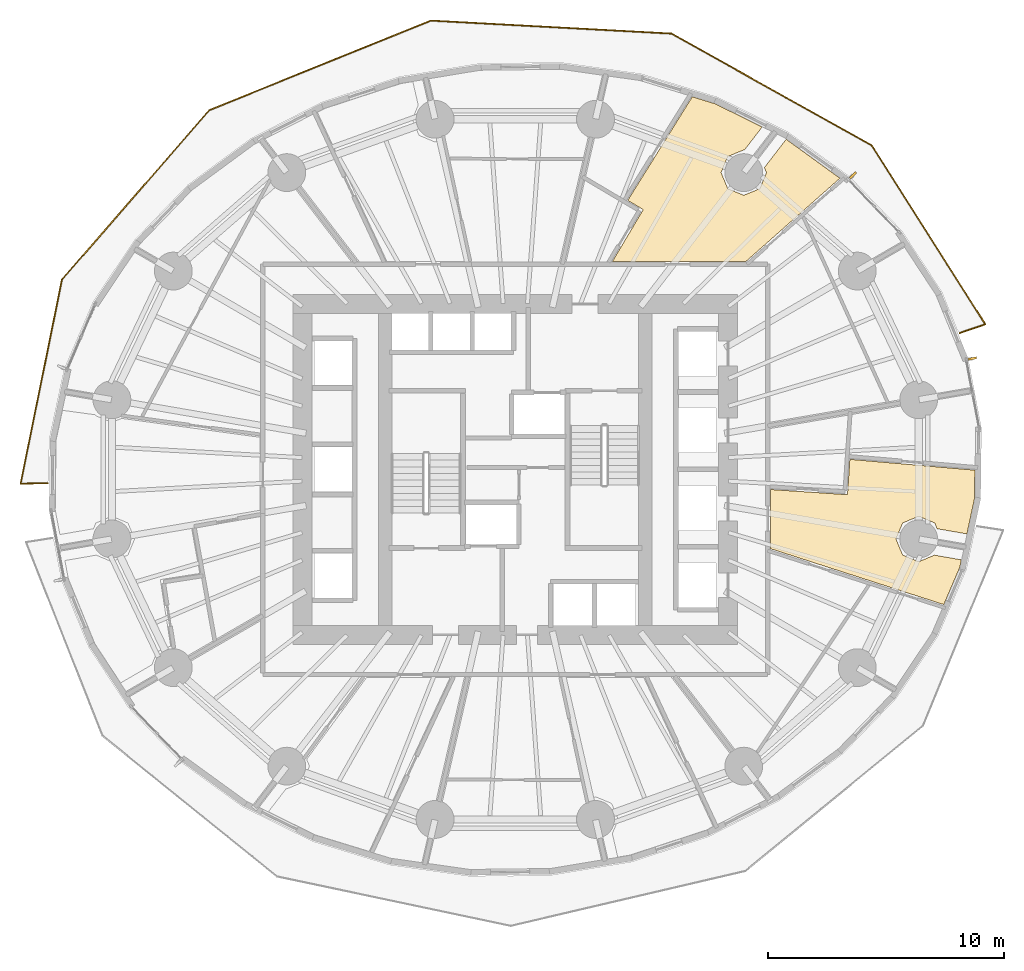
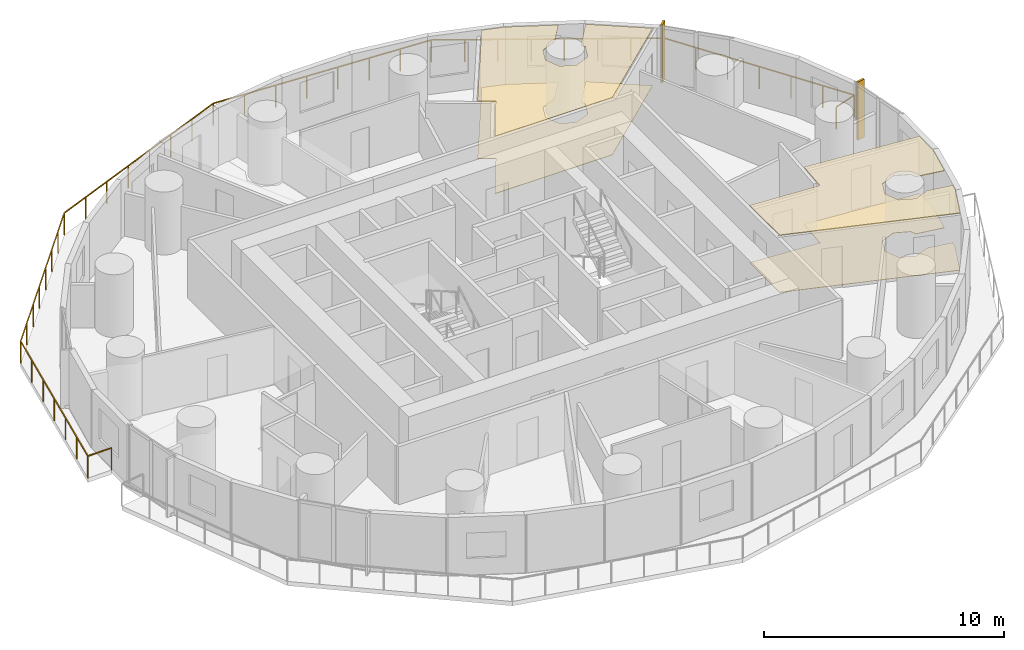
# One storey, part 14 of 14: 4 coverings, 2 shading devices, 1 railing.
"""IFC4 building model written with IfcOpenShell, lengths in metres."""

import ifcopenshell
import ifcopenshell.guid

model = None  # the IFC model being written
_history = None  # IfcOwnerHistory: only IFC2X3 demands one
_inside = {}  # id of a spatial element -> (the spatial element, [elements in it])
_under = {}  # id of a project, library or spatial element -> (it, [spatial elements below it])
_declared = {}  # id of a project -> (the project, [libraries it declares])
_typed = {}  # id of a type object -> (the type object, [elements of that type])
_made_of = {}  # id of a material, layer set ... -> (it, [elements and type objects made of it])


def new_model(schema):
    """Start an empty IFC model of exactly this schema.

    Asked for "IFC4X3", IfcOpenShell would pick the latest addendum, in which some entities
    have other attributes; the version numbers below select the first issue.
    IFC2X3 requires an IfcOwnerHistory on every rooted entity: one is made here for all.
    """
    global model, _history
    if schema == "IFC4X3":
        model = ifcopenshell.file(schema_version=(4, 3, 0, 0))
    else:
        model = ifcopenshell.file(schema=schema)
    _inside.clear()
    _under.clear()
    _declared.clear()
    _typed.clear()
    _made_of.clear()
    _history = None
    if model.schema == "IFC2X3":
        org = make("IfcOrganization", Name="unknown")
        user = make(
            "IfcPersonAndOrganization",
            ThePerson=make("IfcPerson", FamilyName="unknown"),
            TheOrganization=org,
        )
        app = make(
            "IfcApplication",
            ApplicationDeveloper=org,
            Version="unknown",
            ApplicationFullName="unknown",
            ApplicationIdentifier="unknown",
        )
        _history = make(
            "IfcOwnerHistory",
            OwningUser=user,
            OwningApplication=app,
            ChangeAction="ADDED",
            CreationDate=0,
        )
    return model


def make(cls, **values):
    """One entity of the class cls with the attributes given. An attribute that is None is left unset."""
    return model.create_entity(
        cls, **{name: value for name, value in values.items() if value is not None}
    )


def rooted(cls, **values):
    """An entity with a GlobalId (a new one), such as an element, a storey or a relation."""
    return make(cls, GlobalId=ifcopenshell.guid.new(), OwnerHistory=_history, **values)


def si_unit(unit_type, name, prefix=None):
    """IfcSIUnit, for example si_unit("LENGTHUNIT", "METRE", prefix="MILLI")."""
    return make("IfcSIUnit", UnitType=unit_type, Prefix=prefix, Name=name)


def assignment(units):
    """IfcUnitAssignment: the units of a project."""
    return None if units is None else make("IfcUnitAssignment", Units=units)


def point(xyz):
    """IfcCartesianPoint."""
    return None if xyz is None else make("IfcCartesianPoint", Coordinates=xyz)


def direction(xyz):
    """IfcDirection."""
    return None if xyz is None else make("IfcDirection", DirectionRatios=xyz)


def frame(location, z_axis=None, x_axis=None):
    """IfcAxis2Placement3D, a coordinate frame: its origin and axes. An axis left out is left unset."""
    return make(
        "IfcAxis2Placement3D",
        Location=point(location),
        Axis=direction(z_axis),
        RefDirection=direction(x_axis),
    )


def frame_2d(location, x_axis=None):
    """IfcAxis2Placement2D, a coordinate frame in the plane: its origin and x axis."""
    return make(
        "IfcAxis2Placement2D", Location=point(location), RefDirection=direction(x_axis)
    )


def origin():
    """The frame at (0, 0, 0) with its axes left unset."""
    return frame((0.0, 0.0, 0.0))


def origin_2d():
    """The frame at (0, 0) in the plane with its x axis left unset."""
    return frame_2d((0.0, 0.0))


def place(relative_to, where):
    """IfcLocalPlacement: puts the frame where relative to a parent placement (None: the world)."""
    return make(
        "IfcLocalPlacement", PlacementRelTo=relative_to, RelativePlacement=where
    )


def context(
    kind, dimensions, precision=None, world=None, true_north=None, identifier=None
):
    """IfcGeometricRepresentationContext, for example the 3D "Model" context."""
    return make(
        "IfcGeometricRepresentationContext",
        ContextIdentifier=identifier,
        ContextType=kind,
        CoordinateSpaceDimension=dimensions,
        Precision=precision,
        WorldCoordinateSystem=world,
        TrueNorth=true_north,
    )


def subcontext(parent, identifier, kind, view, scale=None):
    """IfcGeometricRepresentationSubContext, for example "Body" below "Model"."""
    return make(
        "IfcGeometricRepresentationSubContext",
        ContextIdentifier=identifier,
        ContextType=kind,
        ParentContext=parent,
        TargetScale=scale,
        TargetView=view,
    )


def project(units=None, contexts=None):
    """IfcProject with its units and contexts."""
    return rooted(
        "IfcProject",
        Name="project",
        RepresentationContexts=contexts,
        UnitsInContext=assignment(units),
    )


def spatial(cls, under=None, at=None, **own):
    """A site, building, storey or space (cls), placed at a placement, below another one or the project."""
    s = rooted(cls, ObjectPlacement=at, **own)
    if under is not None:
        _under.setdefault(under.id(), (under, []))[1].append(s)
    return s


def polyline(points):
    """IfcPolyline through the points."""
    return make("IfcPolyline", Points=[point(p) for p in points])


def profile(cls, at=None, kind="AREA", **sizes):
    """A parametric profile (cls). Its sizes go by their IFC names, for example OverallWidth=200.0."""
    return make(cls, ProfileType=kind, Position=at, **sizes)


def rectangle(**sizes):
    """IfcRectangleProfileDef."""
    return profile("IfcRectangleProfileDef", **sizes)


def outline(outer, holes=None, kind="AREA"):
    """IfcArbitraryClosedProfileDef: a profile drawn as a closed curve; with holes, ...WithVoids."""
    if holes is None:
        return make("IfcArbitraryClosedProfileDef", ProfileType=kind, OuterCurve=outer)
    return make(
        "IfcArbitraryProfileDefWithVoids",
        ProfileType=kind,
        OuterCurve=outer,
        InnerCurves=holes,
    )


def extrude(swept, where, along, depth):
    """IfcExtrudedAreaSolid: the profile swept, set in the frame where, extruded along a direction by depth."""
    return make(
        "IfcExtrudedAreaSolid",
        SweptArea=swept,
        Position=where,
        ExtrudedDirection=direction(along),
        Depth=depth,
    )


def shape(context_of_items, identifier, shape_type, items):
    """IfcShapeRepresentation: the items that make up one representation, for example the "Body"."""
    return make(
        "IfcShapeRepresentation",
        ContextOfItems=context_of_items,
        RepresentationIdentifier=identifier,
        RepresentationType=shape_type,
        Items=items,
    )


def material(Name=None, Category=None):
    """IfcMaterial."""
    return make("IfcMaterial", Name=Name, Category=Category)


def layer(
    of_material, thickness, ventilated=None, Name=None, Category=None, Priority=None
):
    """IfcMaterialLayer: one layer of a wall or slab, of a material (None: an air gap)."""
    return make(
        "IfcMaterialLayer",
        Material=of_material,
        LayerThickness=thickness,
        IsVentilated=ventilated,
        Name=Name,
        Category=Category,
        Priority=Priority,
    )


def layer_set(layers, Name=None):
    """IfcMaterialLayerSet."""
    return make("IfcMaterialLayerSet", MaterialLayers=layers, LayerSetName=Name)


def made_of(thing, what):
    """Note that an element or type object is made of a material, layer set ...; save() writes the relation."""
    if what is not None:
        _made_of.setdefault(what.id(), (what, []))[1].append(thing)
    return thing


def type_object(cls, material=None, **own):
    """A type object (cls), such as IfcWallType, which elements share."""
    return made_of(rooted(cls, **own), material)


def element(
    cls,
    number,
    at=None,
    inside=None,
    cuts=None,
    type_object=None,
    material=None,
    context=None,
    identifier="Body",
    shape_type=None,
    held_by="IfcProductDefinitionShape",
    body=None,
    shapes=None,
    **own,
):
    """One element of the class cls, such as IfcWall. Its Tag is "e" and its number.

    at: its placement. inside: the storey or other place that contains it. cuts: it is an
    opening in that element (IfcRelVoidsElement). A single representation is given by context,
    identifier, shape_type and body (its items); several are given by shapes. held_by: the class
    of the entity that holds the representations. save() writes the other relations.
    """
    e = rooted(cls, Tag="e%d" % number, ObjectPlacement=at, **own)
    if body is not None:
        shapes = [shape(context, identifier, shape_type, body)]
    if shapes is not None:
        e.Representation = make(held_by, Representations=shapes)
    if inside is not None:
        _inside.setdefault(inside.id(), (inside, []))[1].append(e)
    if cuts is not None:
        rooted(
            "IfcRelVoidsElement", RelatingBuildingElement=cuts, RelatedOpeningElement=e
        )
    if type_object is not None:
        _typed.setdefault(type_object.id(), (type_object, []))[1].append(e)
    return made_of(e, material)


def aggregate(whole, parts):
    """IfcRelAggregates: a whole, such as a stair, and the parts it consists of."""
    return rooted("IfcRelAggregates", RelatingObject=whole, RelatedObjects=parts)


def save(model, path):
    """Write the relations noted so far, then the file.

    IfcRelAggregates (storeys below a building ...), IfcRelContainedInSpatialStructure (elements
    in a storey), IfcRelDefinesByType, IfcRelAssociatesMaterial and IfcRelDeclares: one each for
    every whole, place, type object, material and project.
    """
    for whole, parts in _under.values():
        aggregate(whole, parts)
    for where, things in _inside.values():
        rooted(
            "IfcRelContainedInSpatialStructure",
            RelatedElements=things,
            RelatingStructure=where,
        )
    for kind, things in _typed.values():
        rooted("IfcRelDefinesByType", RelatedObjects=things, RelatingType=kind)
    for what, things in _made_of.values():
        rooted("IfcRelAssociatesMaterial", RelatedObjects=things, RelatingMaterial=what)
    for by, libraries in _declared.values():
        rooted("IfcRelDeclares", RelatingContext=by, RelatedDefinitions=libraries)
    model.write(path)


model = new_model("IFC4")

# Units and contexts
model_context = context("Model", 3, precision=1e-05, world=origin(), true_north=direction((0.0, 1.0)))
body_context = subcontext(model_context, "Body", "Model", "MODEL_VIEW")
ifc_project = project(units=[si_unit("LENGTHUNIT", "METRE"), si_unit("AREAUNIT", "SQUARE_METRE"), si_unit("VOLUMEUNIT", "CUBIC_METRE"), si_unit("PLANEANGLEUNIT", "RADIAN"), si_unit("MASSUNIT", "GRAM", prefix="KILO")], contexts=[model_context])

# Site, building, storey
site_placement = place(None, origin())
site = spatial("IfcSite", under=ifc_project, at=site_placement, CompositionType="ELEMENT")
building_placement = place(site_placement, origin())
building = spatial("IfcBuilding", under=site, at=building_placement, Name="Veldorim Arch Residences", CompositionType="ELEMENT")
storey_placement = place(building_placement, frame((0.0, 0.0, 31.199951171875)))
storey = spatial("IfcBuildingStorey", under=building, at=storey_placement, Name="L08", CompositionType="ELEMENT", Elevation=31.199951171875)

# Railing
ifc_material_1 = material(Name="Aluminium", Category="aluminium")
railing_type = type_object("IfcRailingType", Name="Balcony & Terrace Laminated Glass Balustrade 1150", PredefinedType="BALUSTRADE", material=ifc_material_1)
railing_placement = place(storey_placement, frame((50.797119140625, 29.767333984375, 0.0)))
element("IfcRailing", 1, at=railing_placement, inside=storey, type_object=railing_type, Name="L08 crescent balcony safety balustrade A", PredefinedType="BALUSTRADE", context=body_context, shape_type="SweptSolid", body=[
    extrude(rectangle(XDim=0.048095703125, YDim=0.048095703125, at=origin_2d()), frame((0.0, 0.0, 1.1259765625), z_axis=(0.946560286675, 0.322526934827, 0.0), x_axis=(-0.322526934827, 0.946560286675, 0.0)), (0.0, 0.0, 1.0), 1.14990234375),
    extrude(rectangle(XDim=0.048095703125, YDim=0.048095703125, at=origin_2d()), frame((1.08837890625, 0.370849609375, 1.1259765625), z_axis=(-0.53607472268, 0.844170534728, 0.0), x_axis=(-0.844170534728, -0.53607472268, 0.0)), (0.0, 0.0, 1.0), 8.958984375),
    extrude(rectangle(XDim=0.048095703125, YDim=0.048095703125, at=origin_2d()), frame((-3.71435546875, 7.933837890625, 1.1259765625), z_axis=(-0.87290883219, 0.487883357663, 0.0), x_axis=(-0.487883357663, -0.87290883219, 0.0)), (0.0, 0.0, 1.0), 9.7080078125),
    extrude(rectangle(XDim=0.048095703125, YDim=0.048095703125, at=origin_2d()), frame((-12.1884765625, 12.670166015625, 1.1259765625), z_axis=(-0.998545340766, 0.053918479533, 0.0), x_axis=(-0.053918479533, -0.998545340766, 0.0)), (0.0, 0.0, 1.0), 10.197021484375),
    extrude(rectangle(XDim=0.048095703125, YDim=0.048095703125, at=origin_2d()), frame((-22.37060546875, 13.219970703125, 1.1259765625), z_axis=(-0.927048609411, -0.374941163104, 0.0), x_axis=(0.374941163104, -0.927048609411, 0.0)), (0.0, 0.0, 1.0), 10.10498046875),
    extrude(rectangle(XDim=0.048095703125, YDim=0.048095703125, at=origin_2d()), frame((-31.738525390625, 9.43115234375, 1.1259765625), z_axis=(-0.656490365297, -0.754334408782, 0.0), x_axis=(0.754334408782, -0.656490365297, 0.0)), (0.0, 0.0, 1.0), 9.501708984375),
    extrude(rectangle(XDim=0.048095703125, YDim=0.048095703125, at=origin_2d()), frame((-37.976318359375, 2.263671875, 1.1259765625), z_axis=(-0.198683283688, -0.980063749346, 0.0), x_axis=(0.980063749346, -0.198683283688, 0.0)), (0.0, 0.0, 1.0), 8.81298828125),
    extrude(rectangle(XDim=0.048095703125, YDim=0.048095703125, at=origin_2d()), frame((-39.727294921875, -6.37353515625, 1.1259765625), z_axis=(0.999787911114, 0.020594484472, 0.0), x_axis=(-0.020594484472, 0.999787911114, 0.0)), (0.0, 0.0, 1.0), 1.14990234375),
    extrude(rectangle(XDim=0.0419921875, YDim=0.0419921875, at=origin_2d()), origin(), (0.0, 0.0, 1.0), 1.101806640625),
    extrude(rectangle(XDim=0.0419921875, YDim=0.0419921875, at=origin_2d()), frame((1.08837890625, 0.370849609375, 0.0)), (0.0, 0.0, 1.0), 1.101806640625),
    extrude(rectangle(XDim=0.0419921875, YDim=0.0419921875, at=origin_2d()), frame((0.287841796875, 1.63134765625, 0.0)), (0.0, 0.0, 1.0), 1.101806640625),
    extrude(rectangle(XDim=0.0419921875, YDim=0.0419921875, at=origin_2d()), frame((-0.512451171875, 2.891845703125, 0.0)), (0.0, 0.0, 1.0), 1.101806640625),
    extrude(rectangle(XDim=0.0419921875, YDim=0.0419921875, at=origin_2d()), frame((-1.31298828125, 4.15234375, 0.0)), (0.0, 0.0, 1.0), 1.101806640625),
    extrude(rectangle(XDim=0.0419921875, YDim=0.0419921875, at=origin_2d()), frame((-2.113525390625, 5.412841796875, 0.0)), (0.0, 0.0, 1.0), 1.101806640625),
    extrude(rectangle(XDim=0.0419921875, YDim=0.0419921875, at=origin_2d()), frame((-2.913818359375, 6.67333984375, 0.0)), (0.0, 0.0, 1.0), 1.101806640625),
    extrude(rectangle(XDim=0.0419921875, YDim=0.0419921875, at=origin_2d()), frame((-3.71435546875, 7.933837890625, 0.0)), (0.0, 0.0, 1.0), 1.101806640625),
    extrude(rectangle(XDim=0.0419921875, YDim=0.0419921875, at=origin_2d()), frame((-4.925048828125, 8.6103515625, 0.0)), (0.0, 0.0, 1.0), 1.101806640625),
    extrude(rectangle(XDim=0.0419921875, YDim=0.0419921875, at=origin_2d()), frame((-6.135498046875, 9.287109375, 0.0)), (0.0, 0.0, 1.0), 1.101806640625),
    extrude(rectangle(XDim=0.0419921875, YDim=0.0419921875, at=origin_2d()), frame((-7.34619140625, 9.963623046875, 0.0)), (0.0, 0.0, 1.0), 1.101806640625),
    extrude(rectangle(XDim=0.0419921875, YDim=0.0419921875, at=origin_2d()), frame((-8.556640625, 10.640380859375, 0.0)), (0.0, 0.0, 1.0), 1.101806640625),
    extrude(rectangle(XDim=0.0419921875, YDim=0.0419921875, at=origin_2d()), frame((-9.767333984375, 11.31689453125, 0.0)), (0.0, 0.0, 1.0), 1.101806640625),
    extrude(rectangle(XDim=0.0419921875, YDim=0.0419921875, at=origin_2d()), frame((-10.977783203125, 11.99365234375, 0.0)), (0.0, 0.0, 1.0), 1.101806640625),
    extrude(rectangle(XDim=0.0419921875, YDim=0.0419921875, at=origin_2d()), frame((-12.1884765625, 12.670166015625, 0.0)), (0.0, 0.0, 1.0), 1.101806640625),
    extrude(rectangle(XDim=0.0419921875, YDim=0.0419921875, at=origin_2d()), frame((-13.64306640625, 12.748779296875, 0.0)), (0.0, 0.0, 1.0), 1.101806640625),
    extrude(rectangle(XDim=0.0419921875, YDim=0.0419921875, at=origin_2d()), frame((-15.09765625, 12.8271484375, 0.0)), (0.0, 0.0, 1.0), 1.101806640625),
    extrude(rectangle(XDim=0.0419921875, YDim=0.0419921875, at=origin_2d()), frame((-16.55224609375, 12.90576171875, 0.0)), (0.0, 0.0, 1.0), 1.101806640625),
    extrude(rectangle(XDim=0.0419921875, YDim=0.0419921875, at=origin_2d()), frame((-18.0068359375, 12.984375, 0.0)), (0.0, 0.0, 1.0), 1.101806640625),
    extrude(rectangle(XDim=0.0419921875, YDim=0.0419921875, at=origin_2d()), frame((-19.46142578125, 13.06298828125, 0.0)), (0.0, 0.0, 1.0), 1.101806640625),
    extrude(rectangle(XDim=0.0419921875, YDim=0.0419921875, at=origin_2d()), frame((-20.916015625, 13.141357421875, 0.0)), (0.0, 0.0, 1.0), 1.101806640625),
    extrude(rectangle(XDim=0.0419921875, YDim=0.0419921875, at=origin_2d()), frame((-22.37060546875, 13.219970703125, 0.0)), (0.0, 0.0, 1.0), 1.101806640625),
    extrude(rectangle(XDim=0.0419921875, YDim=0.0419921875, at=origin_2d()), frame((-23.708984375, 12.6787109375, 0.0)), (0.0, 0.0, 1.0), 1.101806640625),
    extrude(rectangle(XDim=0.0419921875, YDim=0.0419921875, at=origin_2d()), frame((-25.047119140625, 12.137451171875, 0.0)), (0.0, 0.0, 1.0), 1.101806640625),
    extrude(rectangle(XDim=0.0419921875, YDim=0.0419921875, at=origin_2d()), frame((-26.385498046875, 11.59619140625, 0.0)), (0.0, 0.0, 1.0), 1.101806640625),
    extrude(rectangle(XDim=0.0419921875, YDim=0.0419921875, at=origin_2d()), frame((-27.7236328125, 11.054931640625, 0.0)), (0.0, 0.0, 1.0), 1.101806640625),
    extrude(rectangle(XDim=0.0419921875, YDim=0.0419921875, at=origin_2d()), frame((-29.06201171875, 10.513671875, 0.0)), (0.0, 0.0, 1.0), 1.101806640625),
    extrude(rectangle(XDim=0.0419921875, YDim=0.0419921875, at=origin_2d()), frame((-30.400146484375, 9.972412109375, 0.0)), (0.0, 0.0, 1.0), 1.101806640625),
    extrude(rectangle(XDim=0.0419921875, YDim=0.0419921875, at=origin_2d()), frame((-31.738525390625, 9.43115234375, 0.0)), (0.0, 0.0, 1.0), 1.101806640625),
    extrude(rectangle(XDim=0.0419921875, YDim=0.0419921875, at=origin_2d()), frame((-32.629638671875, 8.4072265625, 0.0)), (0.0, 0.0, 1.0), 1.101806640625),
    extrude(rectangle(XDim=0.0419921875, YDim=0.0419921875, at=origin_2d()), frame((-33.520751953125, 7.38330078125, 0.0)), (0.0, 0.0, 1.0), 1.101806640625),
    extrude(rectangle(XDim=0.0419921875, YDim=0.0419921875, at=origin_2d()), frame((-34.411865234375, 6.359375, 0.0)), (0.0, 0.0, 1.0), 1.101806640625),
    extrude(rectangle(XDim=0.0419921875, YDim=0.0419921875, at=origin_2d()), frame((-35.302978515625, 5.33544921875, 0.0)), (0.0, 0.0, 1.0), 1.101806640625),
    extrude(rectangle(XDim=0.0419921875, YDim=0.0419921875, at=origin_2d()), frame((-36.194091796875, 4.3115234375, 0.0)), (0.0, 0.0, 1.0), 1.101806640625),
    extrude(rectangle(XDim=0.0419921875, YDim=0.0419921875, at=origin_2d()), frame((-37.085205078125, 3.28759765625, 0.0)), (0.0, 0.0, 1.0), 1.101806640625),
    extrude(rectangle(XDim=0.0419921875, YDim=0.0419921875, at=origin_2d()), frame((-37.976318359375, 2.263671875, 0.0)), (0.0, 0.0, 1.0), 1.101806640625),
    extrude(rectangle(XDim=0.0419921875, YDim=0.0419921875, at=origin_2d()), frame((-38.26806640625, 0.82421875, 0.0)), (0.0, 0.0, 1.0), 1.101806640625),
    extrude(rectangle(XDim=0.0419921875, YDim=0.0419921875, at=origin_2d()), frame((-38.56005859375, -0.615478515625, 0.0)), (0.0, 0.0, 1.0), 1.101806640625),
    extrude(rectangle(XDim=0.0419921875, YDim=0.0419921875, at=origin_2d()), frame((-38.851806640625, -2.054931640625, 0.0)), (0.0, 0.0, 1.0), 1.101806640625),
    extrude(rectangle(XDim=0.0419921875, YDim=0.0419921875, at=origin_2d()), frame((-39.1435546875, -3.494384765625, 0.0)), (0.0, 0.0, 1.0), 1.101806640625),
    extrude(rectangle(XDim=0.0419921875, YDim=0.0419921875, at=origin_2d()), frame((-39.435546875, -4.93408203125, 0.0)), (0.0, 0.0, 1.0), 1.101806640625),
    extrude(rectangle(XDim=0.0419921875, YDim=0.0419921875, at=origin_2d()), frame((-39.727294921875, -6.37353515625, 0.0)), (0.0, 0.0, 1.0), 1.101806640625),
    extrude(rectangle(XDim=0.0419921875, YDim=0.0419921875, at=origin_2d()), frame((-38.57763671875, -6.349853515625, 0.0)), (0.0, 0.0, 1.0), 1.101806640625),
])

# Coverings
ifc_material_2 = material(Name="Acoustic Gypsum & Mineral Fibre", Category="gypsum")
ifc_layer_1 = layer(ifc_material_2, 0.034912109375, Name="Perforated Acoustic Mineral-Fibre Ceiling 35")
ifc_layer_set_1 = layer_set([ifc_layer_1], Name="Acoustic Gypsum & Mineral Fibre")
covering_type_1 = type_object("IfcCoveringType", Name="Perforated Acoustic Mineral-Fibre Ceiling 35", PredefinedType="CEILING", material=ifc_layer_set_1)
covering_1_placement = place(storey_placement, frame((0.0, 0.0, 2.905029296875)))
element("IfcCovering", 2, at=covering_1_placement, inside=storey, type_object=covering_type_1, Name="L08 acoustic suspended ceiling 03", PredefinedType="CEILING", context=body_context, shape_type="SweptSolid", body=[
    extrude(outline(polyline([(49.065673828125, 20.09423828125), (49.73291015625, 20.37060546875), (50.87060546875, 20.17431640625), (50.802001953125, 19.853759765625), (50.127685546875, 18.280029296875), (42.800048828125, 20.643310546875), (42.800048828125, 23.147705078125), (46.054931640625, 22.9296875), (46.155029296875, 24.4248046875), (51.44140625, 23.96630859375), (51.426513671875, 22.76708984375), (51.105712890625, 21.270263671875), (49.845947265625, 21.48779296875), (49.744384765625, 21.73291015625), (49.065673828125, 22.013916015625), (48.386962890625, 21.73291015625), (48.105712890625, 21.05419921875), (48.386962890625, 20.37548828125), (49.065673828125, 20.09423828125)])), origin(), (0.0, 0.0, 1.0), 0.034912109375),
])
covering_2_placement = place(storey_placement, frame((0.0, 0.0, 2.905029296875)))
element("IfcCovering", 3, at=covering_2_placement, inside=storey, type_object=covering_type_1, Name="L08 acoustic suspended ceiling 04", PredefinedType="CEILING", context=body_context, shape_type="SweptSolid", body=[
    extrude(outline(polyline([(41.6669921875, 37.51513671875), (40.98828125, 37.23388671875), (40.70703125, 36.55517578125), (40.98828125, 35.87646484375), (41.6669921875, 35.59521484375), (42.345703125, 35.87646484375), (42.626708984375, 36.55517578125), (42.5380859375, 36.76904296875), (43.4599609375, 37.9658203125), (45.7353515625, 36.31640625), (41.76220703125, 32.800048828125), (36.113037109375, 32.800048828125), (37.41357421875, 34.9912109375), (36.7578125, 35.38037109375), (39.48779296875, 39.76171875), (40.456787109375, 39.46533203125), (42.4453125, 38.48388671875), (41.69140625, 37.5048828125), (41.6669921875, 37.51513671875)])), origin(), (0.0, 0.0, 1.0), 0.034912109375),
])
ifc_material_3 = material(Name="Porcelain Ceramic Tile", Category="ceramic")
ifc_layer_2 = layer(ifc_material_3, 0.02001953125, Name="Slip-Resistant Porcelain & Vinyl Floor Finish 20")
ifc_layer_set_2 = layer_set([ifc_layer_2], Name="Porcelain Ceramic Tile")
covering_type_2 = type_object("IfcCoveringType", Name="Slip-Resistant Porcelain & Vinyl Floor Finish 20", PredefinedType="FLOORING", material=ifc_layer_set_2)
covering_3_placement = place(storey_placement, origin())
element("IfcCovering", 4, at=covering_3_placement, inside=storey, type_object=covering_type_2, Name="L08 porcelain floor finish 03", PredefinedType="FLOORING", context=body_context, shape_type="SweptSolid", body=[
    extrude(outline(polyline([(49.065673828125, 20.09423828125), (49.73291015625, 20.37060546875), (50.87060546875, 20.17431640625), (50.802001953125, 19.853759765625), (50.127685546875, 18.280029296875), (42.800048828125, 20.643310546875), (42.800048828125, 23.147705078125), (46.054931640625, 22.9296875), (46.155029296875, 24.4248046875), (51.44140625, 23.96630859375), (51.426513671875, 22.76708984375), (51.105712890625, 21.270263671875), (49.845947265625, 21.48779296875), (49.744384765625, 21.73291015625), (49.065673828125, 22.013916015625), (48.386962890625, 21.73291015625), (48.105712890625, 21.05419921875), (48.386962890625, 20.37548828125), (49.065673828125, 20.09423828125)])), origin(), (0.0, 0.0, 1.0), 0.02001953125),
])
covering_4_placement = place(storey_placement, origin())
element("IfcCovering", 5, at=covering_4_placement, inside=storey, type_object=covering_type_2, Name="L08 porcelain floor finish 04", PredefinedType="FLOORING", context=body_context, shape_type="SweptSolid", body=[
    extrude(outline(polyline([(41.6669921875, 37.51513671875), (40.98828125, 37.23388671875), (40.70703125, 36.55517578125), (40.98828125, 35.87646484375), (41.6669921875, 35.59521484375), (42.345703125, 35.87646484375), (42.626708984375, 36.55517578125), (42.5380859375, 36.76904296875), (43.4599609375, 37.9658203125), (45.7353515625, 36.31640625), (41.76220703125, 32.800048828125), (36.113037109375, 32.800048828125), (37.41357421875, 34.9912109375), (36.7578125, 35.38037109375), (39.48779296875, 39.76171875), (40.456787109375, 39.46533203125), (42.4453125, 38.48388671875), (41.69140625, 37.5048828125), (41.6669921875, 37.51513671875)])), origin(), (0.0, 0.0, 1.0), 0.02001953125),
])

# Shading devices
ifc_material_4 = material(Name="Terracotta Ceramic", Category="masonry")
ifc_layer_3 = layer(ifc_material_4, 0.090087890625, Name="Vertical Extruded Terracotta Baguette Sun-Shading Fin")
ifc_layer_set_3 = layer_set([ifc_layer_3], Name="Terracotta Ceramic")
shading_device_type = type_object("IfcShadingDeviceType", Name="Vertical Extruded Terracotta Baguette Sun-Shading Fin", PredefinedType="USERDEFINED", material=ifc_layer_set_3)
for number, where, z_axis, x_axis, name in (
    (6, (51.3369140625, 28.6884765625, 0.0), (0.0, 0.0, 1.0), (0.187209870265, -0.982319939976, 0.0), "L08 vertical terracotta sun-shading fin 01"),
    (7, (46.28466796875, 36.44189453125, 0.0), (0.0, 0.0, 1.0), (0.693527577607, -0.720430079257, 0.0), "L08 vertical terracotta sun-shading fin 04"),
):
    element("IfcShadingDevice", number, at=place(storey_placement, frame(where, z_axis=z_axis, x_axis=x_axis)), inside=storey, type_object=shading_device_type, Name=name, ObjectType="FIN", PredefinedType="USERDEFINED", context=body_context, shape_type="SweptSolid", body=[
        extrude(rectangle(XDim=0.090087890625, YDim=0.360107421875, at=origin_2d()), origin(), (0.0, 0.0, 1.0), 2.9599609375),
    ])

save(model, "model.ifc")
